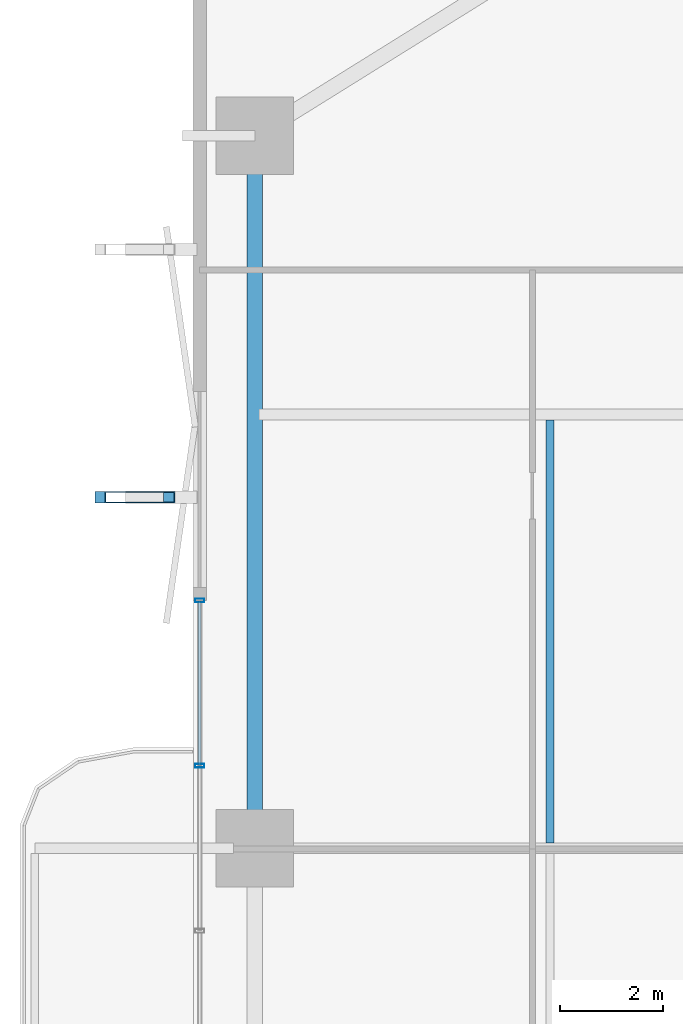
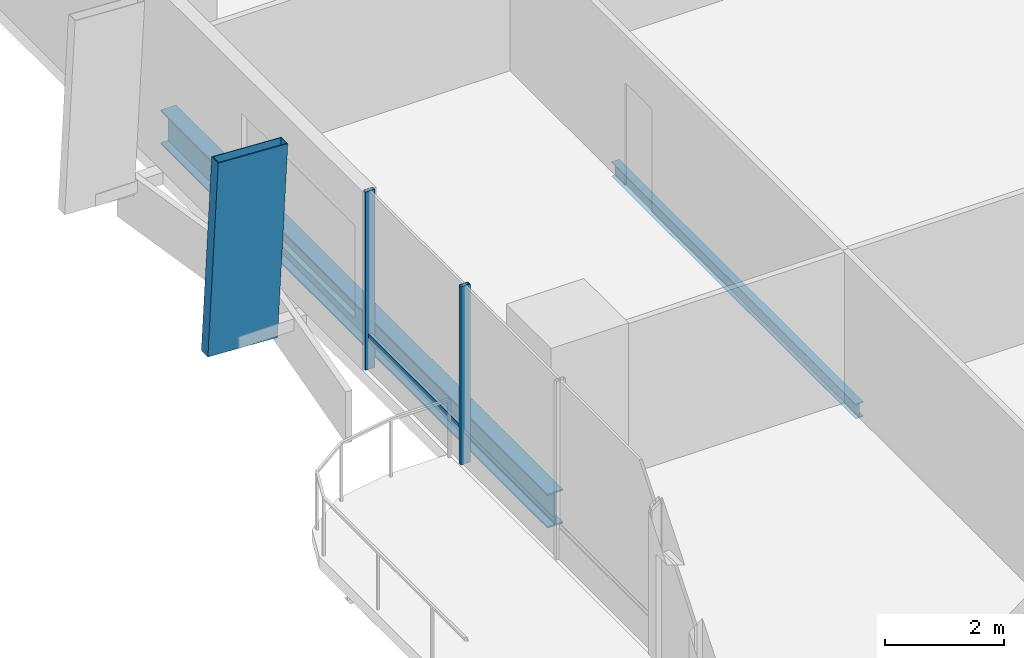
# One storey, part 9 of 24: 4 members, 2 beams, 1 element without a shape of its own.
"""IFC4 building model written with IfcOpenShell, lengths in metres."""

import ifcopenshell
import ifcopenshell.guid

model = None  # the IFC model being written
_history = None  # IfcOwnerHistory: only IFC2X3 demands one
_inside = {}  # id of a spatial element -> (the spatial element, [elements in it])
_under = {}  # id of a project, library or spatial element -> (it, [spatial elements below it])
_declared = {}  # id of a project -> (the project, [libraries it declares])
_typed = {}  # id of a type object -> (the type object, [elements of that type])
_made_of = {}  # id of a material, layer set ... -> (it, [elements and type objects made of it])


def new_model(schema):
    """Start an empty IFC model of exactly this schema.

    Asked for "IFC4X3", IfcOpenShell would pick the latest addendum, in which some entities
    have other attributes; the version numbers below select the first issue.
    IFC2X3 requires an IfcOwnerHistory on every rooted entity: one is made here for all.
    """
    global model, _history
    if schema == "IFC4X3":
        model = ifcopenshell.file(schema_version=(4, 3, 0, 0))
    else:
        model = ifcopenshell.file(schema=schema)
    _inside.clear()
    _under.clear()
    _declared.clear()
    _typed.clear()
    _made_of.clear()
    _history = None
    if model.schema == "IFC2X3":
        org = make("IfcOrganization", Name="unknown")
        user = make(
            "IfcPersonAndOrganization",
            ThePerson=make("IfcPerson", FamilyName="unknown"),
            TheOrganization=org,
        )
        app = make(
            "IfcApplication",
            ApplicationDeveloper=org,
            Version="unknown",
            ApplicationFullName="unknown",
            ApplicationIdentifier="unknown",
        )
        _history = make(
            "IfcOwnerHistory",
            OwningUser=user,
            OwningApplication=app,
            ChangeAction="ADDED",
            CreationDate=0,
        )
    return model


def make(cls, **values):
    """One entity of the class cls with the attributes given. An attribute that is None is left unset."""
    return model.create_entity(
        cls, **{name: value for name, value in values.items() if value is not None}
    )


def rooted(cls, **values):
    """An entity with a GlobalId (a new one), such as an element, a storey or a relation."""
    return make(cls, GlobalId=ifcopenshell.guid.new(), OwnerHistory=_history, **values)


def si_unit(unit_type, name, prefix=None):
    """IfcSIUnit, for example si_unit("LENGTHUNIT", "METRE", prefix="MILLI")."""
    return make("IfcSIUnit", UnitType=unit_type, Prefix=prefix, Name=name)


def assignment(units):
    """IfcUnitAssignment: the units of a project."""
    return None if units is None else make("IfcUnitAssignment", Units=units)


def point(xyz):
    """IfcCartesianPoint."""
    return None if xyz is None else make("IfcCartesianPoint", Coordinates=xyz)


def direction(xyz):
    """IfcDirection."""
    return None if xyz is None else make("IfcDirection", DirectionRatios=xyz)


def frame(location, z_axis=None, x_axis=None):
    """IfcAxis2Placement3D, a coordinate frame: its origin and axes. An axis left out is left unset."""
    return make(
        "IfcAxis2Placement3D",
        Location=point(location),
        Axis=direction(z_axis),
        RefDirection=direction(x_axis),
    )


def frame_2d(location, x_axis=None):
    """IfcAxis2Placement2D, a coordinate frame in the plane: its origin and x axis."""
    return make(
        "IfcAxis2Placement2D", Location=point(location), RefDirection=direction(x_axis)
    )


def origin():
    """The frame at (0, 0, 0) with its axes left unset."""
    return frame((0.0, 0.0, 0.0))


def origin_2d():
    """The frame at (0, 0) in the plane with its x axis left unset."""
    return frame_2d((0.0, 0.0))


def place(relative_to, where):
    """IfcLocalPlacement: puts the frame where relative to a parent placement (None: the world)."""
    return make(
        "IfcLocalPlacement", PlacementRelTo=relative_to, RelativePlacement=where
    )


def context(
    kind, dimensions, precision=None, world=None, true_north=None, identifier=None
):
    """IfcGeometricRepresentationContext, for example the 3D "Model" context."""
    return make(
        "IfcGeometricRepresentationContext",
        ContextIdentifier=identifier,
        ContextType=kind,
        CoordinateSpaceDimension=dimensions,
        Precision=precision,
        WorldCoordinateSystem=world,
        TrueNorth=true_north,
    )


def subcontext(parent, identifier, kind, view, scale=None):
    """IfcGeometricRepresentationSubContext, for example "Body" below "Model"."""
    return make(
        "IfcGeometricRepresentationSubContext",
        ContextIdentifier=identifier,
        ContextType=kind,
        ParentContext=parent,
        TargetScale=scale,
        TargetView=view,
    )


def project(units=None, contexts=None):
    """IfcProject with its units and contexts."""
    return rooted(
        "IfcProject",
        Name="project",
        RepresentationContexts=contexts,
        UnitsInContext=assignment(units),
    )


def spatial(cls, under=None, at=None, **own):
    """A site, building, storey or space (cls), placed at a placement, below another one or the project."""
    s = rooted(cls, ObjectPlacement=at, **own)
    if under is not None:
        _under.setdefault(under.id(), (under, []))[1].append(s)
    return s


def profile(cls, at=None, kind="AREA", **sizes):
    """A parametric profile (cls). Its sizes go by their IFC names, for example OverallWidth=200.0."""
    return make(cls, ProfileType=kind, Position=at, **sizes)


def hollow_rectangle(**sizes):
    """IfcRectangleHollowProfileDef."""
    return profile("IfcRectangleHollowProfileDef", **sizes)


def i_section(**sizes):
    """IfcIShapeProfileDef."""
    return profile("IfcIShapeProfileDef", **sizes)


def extrude(swept, where, along, depth):
    """IfcExtrudedAreaSolid: the profile swept, set in the frame where, extruded along a direction by depth."""
    return make(
        "IfcExtrudedAreaSolid",
        SweptArea=swept,
        Position=where,
        ExtrudedDirection=direction(along),
        Depth=depth,
    )


def shape(context_of_items, identifier, shape_type, items):
    """IfcShapeRepresentation: the items that make up one representation, for example the "Body"."""
    return make(
        "IfcShapeRepresentation",
        ContextOfItems=context_of_items,
        RepresentationIdentifier=identifier,
        RepresentationType=shape_type,
        Items=items,
    )


def material(Name=None, Category=None):
    """IfcMaterial."""
    return make("IfcMaterial", Name=Name, Category=Category)


def layer(
    of_material, thickness, ventilated=None, Name=None, Category=None, Priority=None
):
    """IfcMaterialLayer: one layer of a wall or slab, of a material (None: an air gap)."""
    return make(
        "IfcMaterialLayer",
        Material=of_material,
        LayerThickness=thickness,
        IsVentilated=ventilated,
        Name=Name,
        Category=Category,
        Priority=Priority,
    )


def layer_set(layers, Name=None):
    """IfcMaterialLayerSet."""
    return make("IfcMaterialLayerSet", MaterialLayers=layers, LayerSetName=Name)


def material_profile(
    of_material, cross_section, Name=None, Category=None, Priority=None
):
    """IfcMaterialProfile: a cross section and its material."""
    return make(
        "IfcMaterialProfile",
        Name=Name,
        Material=of_material,
        Profile=cross_section,
        Priority=Priority,
        Category=Category,
    )


def profile_set(profiles, Name=None, composite=None):
    """IfcMaterialProfileSet."""
    return make(
        "IfcMaterialProfileSet",
        Name=Name,
        MaterialProfiles=profiles,
        CompositeProfile=composite,
    )


def made_of(thing, what):
    """Note that an element or type object is made of a material, layer set ...; save() writes the relation."""
    if what is not None:
        _made_of.setdefault(what.id(), (what, []))[1].append(thing)
    return thing


def type_object(cls, material=None, **own):
    """A type object (cls), such as IfcWallType, which elements share."""
    return made_of(rooted(cls, **own), material)


def element(
    cls,
    number,
    at=None,
    inside=None,
    cuts=None,
    type_object=None,
    material=None,
    context=None,
    identifier="Body",
    shape_type=None,
    held_by="IfcProductDefinitionShape",
    body=None,
    shapes=None,
    **own,
):
    """One element of the class cls, such as IfcWall. Its Tag is "e" and its number.

    at: its placement. inside: the storey or other place that contains it. cuts: it is an
    opening in that element (IfcRelVoidsElement). A single representation is given by context,
    identifier, shape_type and body (its items); several are given by shapes. held_by: the class
    of the entity that holds the representations. save() writes the other relations.
    """
    e = rooted(cls, Tag="e%d" % number, ObjectPlacement=at, **own)
    if body is not None:
        shapes = [shape(context, identifier, shape_type, body)]
    if shapes is not None:
        e.Representation = make(held_by, Representations=shapes)
    if inside is not None:
        _inside.setdefault(inside.id(), (inside, []))[1].append(e)
    if cuts is not None:
        rooted(
            "IfcRelVoidsElement", RelatingBuildingElement=cuts, RelatedOpeningElement=e
        )
    if type_object is not None:
        _typed.setdefault(type_object.id(), (type_object, []))[1].append(e)
    return made_of(e, material)


def aggregate(whole, parts):
    """IfcRelAggregates: a whole, such as a stair, and the parts it consists of."""
    return rooted("IfcRelAggregates", RelatingObject=whole, RelatedObjects=parts)


def save(model, path):
    """Write the relations noted so far, then the file.

    IfcRelAggregates (storeys below a building ...), IfcRelContainedInSpatialStructure (elements
    in a storey), IfcRelDefinesByType, IfcRelAssociatesMaterial and IfcRelDeclares: one each for
    every whole, place, type object, material and project.
    """
    for whole, parts in _under.values():
        aggregate(whole, parts)
    for where, things in _inside.values():
        rooted(
            "IfcRelContainedInSpatialStructure",
            RelatedElements=things,
            RelatingStructure=where,
        )
    for kind, things in _typed.values():
        rooted("IfcRelDefinesByType", RelatedObjects=things, RelatingType=kind)
    for what, things in _made_of.values():
        rooted("IfcRelAssociatesMaterial", RelatedObjects=things, RelatingMaterial=what)
    for by, libraries in _declared.values():
        rooted("IfcRelDeclares", RelatingContext=by, RelatedDefinitions=libraries)
    model.write(path)


model = new_model("IFC4")

# Units and contexts
model_context = context("Model", 3, precision=1e-05, world=origin(), true_north=direction((0.0, 1.0)))
body_context = subcontext(model_context, "Body", "Model", "MODEL_VIEW")
ifc_project = project(units=[si_unit("LENGTHUNIT", "METRE"), si_unit("AREAUNIT", "SQUARE_METRE"), si_unit("VOLUMEUNIT", "CUBIC_METRE"), si_unit("PLANEANGLEUNIT", "RADIAN"), si_unit("MASSUNIT", "GRAM", prefix="KILO")], contexts=[model_context])

# Site, building, storey
site_placement = place(None, origin())
site = spatial("IfcSite", under=ifc_project, at=site_placement, CompositionType="ELEMENT")
building_placement = place(site_placement, origin())
building = spatial("IfcBuilding", under=site, at=building_placement, Name="Belovzor Exchange Tower", CompositionType="ELEMENT")
storey_placement = place(building_placement, frame((0.0, 0.0, 72.89990234375)))
storey = spatial("IfcBuildingStorey", under=building, at=storey_placement, Name="L17", CompositionType="ELEMENT", Elevation=72.89990234375)

# Member
ifc_material_1 = material(Name="Extruded Architectural Terracotta on Steel S355 Carrier", Category="masonry")
ifc_material_profile_1 = material_profile(ifc_material_1, hollow_rectangle(XDim=0.219970703125, YDim=1.35009765625, WallThickness=0.013916015625, at=origin_2d()))
ifc_profile_set_1 = profile_set([ifc_material_profile_1], Name="Extruded Architectural Terracotta on Steel S355 Carrier")
member_type_1 = type_object("IfcMemberType", Name="Base Arc Sweeping Terracotta Pylon Fin 1450", PredefinedType="USERDEFINED", material=ifc_profile_set_1)
member_1_placement = place(storey_placement, frame((-0.326904296875, 35.60009765625, -0.25), z_axis=(0.051449765599, 0.0, 0.998675583771), x_axis=(0.0, 1.0, 0.0)))
element("IfcMember", 1, at=member_1_placement, inside=storey, type_object=member_type_1, Name="FIN-TC145 Terracotta Facade Fin L17 W3", ObjectType="FIN", PredefinedType="USERDEFINED", context=body_context, shape_type="SweptSolid", body=[
    extrude(hollow_rectangle(XDim=0.219970703125, YDim=1.35009765625, WallThickness=0.013916015625, at=origin_2d()), origin(), (0.0, 0.0, 1.0), 3.9052734375),
])

# Beam
ifc_material_2 = material(Name="Steel S355", Category="steel")
ifc_material_profile_2 = material_profile(ifc_material_2, i_section(OverallWidth=0.14990234375, OverallDepth=0.300048828125, WebThickness=0.007080078125, FlangeThickness=0.0107421875, at=origin_2d()))
ifc_profile_set_2 = profile_set([ifc_material_profile_2], Name="Steel S355")
beam_type_1 = type_object("IfcBeamType", Name="Secondary Trim Floor Joist IPE 300", PredefinedType="BEAM", material=ifc_profile_set_2)
beam_1_placement = place(storey_placement, frame((7.81494140625, 28.905029296875, -0.39990234375), z_axis=(0.0, 1.0, 0.0), x_axis=(-1.0, 0.0, 0.0)))
element("IfcBeam", 2, at=beam_1_placement, inside=storey, type_object=beam_type_1, Name="FJ-300 Secondary Trim Floor Joist IPE 300", PredefinedType="BEAM", context=body_context, shape_type="SweptSolid", body=[
    extrude(i_section(OverallWidth=0.14990234375, OverallDepth=0.300048828125, WebThickness=0.007080078125, FlangeThickness=0.0107421875, at=origin_2d()), origin(), (0.0, 0.0, 1.0), 8.18994140625),
])

# Curtain wall, members
ifc_material_3 = material(Name="Anodised Aluminium Framing", Category="aluminium")
ifc_layer = layer(ifc_material_3, 0.179931640625)
ifc_layer_set = layer_set([ifc_layer], Name="Anodised Aluminium Framing")
curtain_wall_type = type_object("IfcCurtainWallType", Name="Recessed Loggia Low-Iron Triple-Glazed Curtain Wall", PredefinedType="NOTDEFINED", material=ifc_layer_set)
curtain_wall_placement = place(storey_placement, origin())
curtain_wall = element("IfcCurtainWall", 3, at=curtain_wall_placement, inside=storey, type_object=curtain_wall_type, Name="CW3 Recessed Loggia Low-Iron Triple-Glazed Curtain Wall L17", PredefinedType="NOTDEFINED")
ifc_material_4 = material(Name="Steel S355", Category="steel")
ifc_material_profile_3 = material_profile(ifc_material_4, hollow_rectangle(XDim=0.074951171875, YDim=0.179931640625, WallThickness=0.0048828125, at=origin_2d()))
ifc_profile_set_3 = profile_set([ifc_material_profile_3], Name="Steel S355")
member_type_2 = type_object("IfcMemberType", Name="Thermally Broken Curtain Wall Mullion 180x75", PredefinedType="MULLION", material=ifc_profile_set_3)
member_2_placement = place(storey_placement, frame((1.030029296875, 30.39990234375, 0.0), z_axis=(0.0, 0.0, 1.0), x_axis=(0.0, 1.0, 0.0)))
member_2 = element("IfcMember", 4, at=member_2_placement, type_object=member_type_2, Name="CW-M180 Curtain Wall Mullion 3", PredefinedType="MULLION", context=body_context, shape_type="SweptSolid", body=[
    extrude(hollow_rectangle(XDim=0.074951171875, YDim=0.179931640625, WallThickness=0.0048828125, at=origin_2d()), origin(), (0.0, 0.0, 1.0), 3.650146484375),
])
member_3_placement = place(storey_placement, frame((1.030029296875, 33.60009765625, 0.0), z_axis=(0.0, 0.0, 1.0), x_axis=(0.0, 1.0, 0.0)))
member_3 = element("IfcMember", 5, at=member_3_placement, type_object=member_type_2, Name="CW-M180 Curtain Wall Mullion 4", PredefinedType="MULLION", context=body_context, shape_type="SweptSolid", body=[
    extrude(hollow_rectangle(XDim=0.074951171875, YDim=0.179931640625, WallThickness=0.0048828125, at=origin_2d()), origin(), (0.0, 0.0, 1.0), 3.650146484375),
])
ifc_material_5 = material(Name="Steel S355", Category="steel")
ifc_material_profile_4 = material_profile(ifc_material_5, hollow_rectangle(XDim=0.06005859375, YDim=0.14990234375, WallThickness=0.00390625, at=origin_2d()))
ifc_profile_set_4 = profile_set([ifc_material_profile_4], Name="Steel S355")
member_type_3 = type_object("IfcMemberType", Name="Thermally Broken Curtain Wall Transom 150x60", PredefinedType="USERDEFINED", material=ifc_profile_set_4)
member_4_placement = place(storey_placement, frame((1.030029296875, 30.407958984375, 0.650146484375), z_axis=(0.0, 1.0, 0.0), x_axis=(-1.0, 0.0, 0.0)))
member_4 = element("IfcMember", 6, at=member_4_placement, type_object=member_type_3, Name="CW-T150 Curtain Wall Transom 3", ObjectType="TRANSOM", PredefinedType="USERDEFINED", context=body_context, shape_type="SweptSolid", body=[
    extrude(hollow_rectangle(XDim=0.06005859375, YDim=0.14990234375, WallThickness=0.00390625, at=origin_2d()), origin(), (0.0, 0.0, 1.0), 3.18408203125),
])
aggregate(curtain_wall, [member_2, member_3, member_4])

# Beam
ifc_material_6 = material(Name="Steel S355", Category="steel")
ifc_material_profile_5 = material_profile(ifc_material_6, i_section(OverallWidth=0.300048828125, OverallDepth=0.699951171875, WebThickness=0.01708984375, FlangeThickness=0.031982421875, at=origin_2d()))
ifc_profile_set_5 = profile_set([ifc_material_profile_5], Name="Steel S355")
beam_type_2 = type_object("IfcBeamType", Name="Zone 1 Primary Perimeter Girder HEB 700", PredefinedType="BEAM", material=ifc_profile_set_5)
beam_2_placement = place(storey_placement, frame((2.10009765625, 42.18798828125, -0.599853515625), z_axis=(0.0, -1.0, 0.0), x_axis=(1.0, 0.0, 0.0)))
element("IfcBeam", 7, at=beam_2_placement, inside=storey, type_object=beam_type_2, Name="FG-Z1 Zone 1 Primary Perimeter Girder HEB 700", PredefinedType="BEAM", context=body_context, shape_type="SweptSolid", body=[
    extrude(i_section(OverallWidth=0.300048828125, OverallDepth=0.699951171875, WebThickness=0.01708984375, FlangeThickness=0.031982421875, at=origin_2d()), origin(), (0.0, 0.0, 1.0), 12.97509765625),
])

save(model, "model.ifc")
